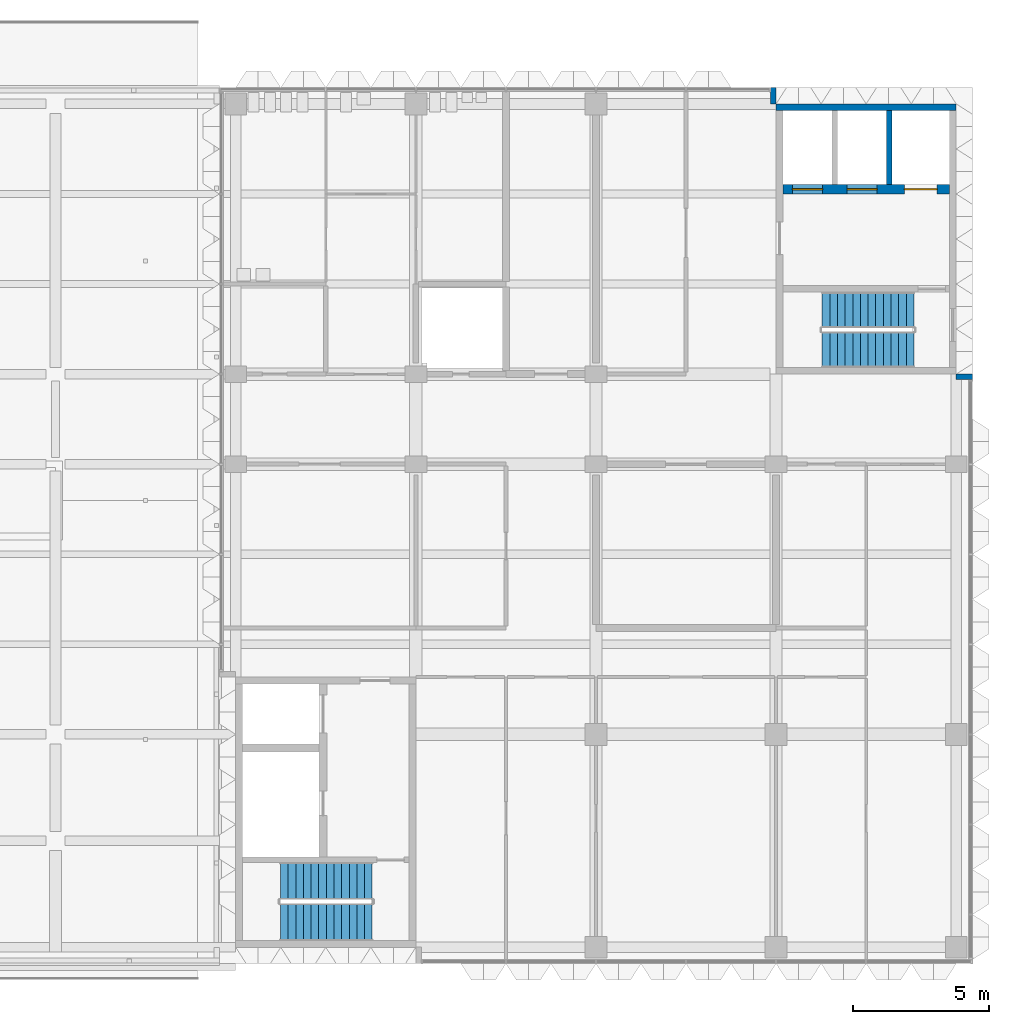
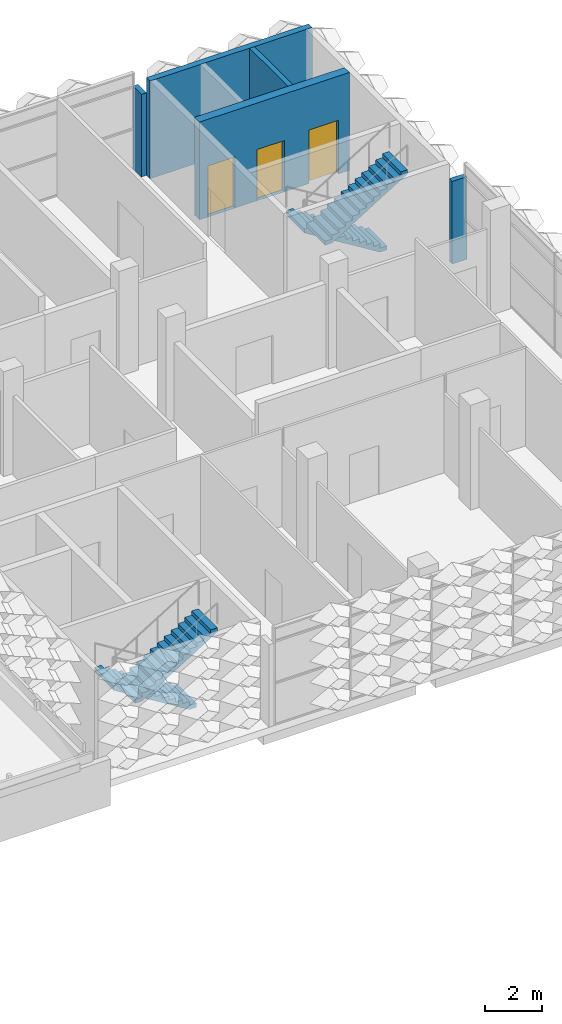
# One storey, part 14 of 39: 5 walls, 4 stair flights, 3 doors, 3 openings, 2 elements without a shape of their own.
"""IFC4 building model written with IfcOpenShell, lengths in metres."""

from ifc_helpers import new_model, si_unit, direction, frame, frame_2d, origin, place, context, subcontext, project, spatial, polyline, rectangle, outline, extrude, material, layer, layer_set, type_object, element, fill, aggregate, save


model = new_model("IFC4")

# Units and contexts
model_context = context("Model", 3, precision=1e-05, world=origin(), true_north=direction((0.0, 1.0)))
body_context = subcontext(model_context, "Body", "Model", "MODEL_VIEW")
ifc_project = project(units=[si_unit("LENGTHUNIT", "METRE"), si_unit("AREAUNIT", "SQUARE_METRE"), si_unit("VOLUMEUNIT", "CUBIC_METRE"), si_unit("PLANEANGLEUNIT", "RADIAN"), si_unit("MASSUNIT", "GRAM", prefix="KILO")], contexts=[model_context])

# Site, building, storey
site_placement = place(None, origin())
site = spatial("IfcSite", under=ifc_project, at=site_placement, CompositionType="ELEMENT")
building_placement = place(site_placement, origin())
building = spatial("IfcBuilding", under=site, at=building_placement, Name="Lantern Court Research Institute", CompositionType="ELEMENT")
storey_placement = place(building_placement, frame((0.0, 0.0, 27.89990234375)))
storey = spatial("IfcBuildingStorey", under=building, at=storey_placement, Name="L06", CompositionType="ELEMENT", Elevation=27.89990234375)

# Walls
ifc_material_1 = material(Name="Concrete C40/50", Category="concrete")
ifc_layer_1 = layer(ifc_material_1, 0.25)
ifc_layer_set_1 = layer_set([ifc_layer_1], Name="Concrete C40/50")
wall_type_1 = type_object("IfcWallType", Name="RC core wall 250 facade", PredefinedType="SHEAR", material=ifc_layer_set_1)
wall_1_placement = place(storey_placement, frame((72.60009765625, 22.97509765625, 0.0), z_axis=(0.0, 0.0, 1.0), x_axis=(1.0, 0.0, 0.0)))
element("IfcWall", 1, at=wall_1_placement, inside=storey, type_object=wall_type_1, Name="North wall of core TC-E", PredefinedType="SHEAR", context=body_context, shape_type="SweptSolid", body=[
    extrude(rectangle(XDim=6.599853515625, YDim=0.25, at=frame_2d((3.2998046875, 0.0))), origin(), (0.0, 0.0, 1.0), 4.2001953125),
])
ifc_material_2 = material(Name="Concrete C40/50", Category="concrete")
ifc_layer_2 = layer(ifc_material_2, 0.199951171875)
ifc_layer_set_2 = layer_set([ifc_layer_2], Name="Concrete C40/50")
wall_type_2 = type_object("IfcWallType", Name="RC shaft wall 200", PredefinedType="SHEAR", material=ifc_layer_set_2)
wall_2_placement = place(storey_placement, frame((76.75, 20.14990234375, 0.0), z_axis=(0.0, 0.0, 1.0), x_axis=(0.0, 1.0, 0.0)))
element("IfcWall", 2, at=wall_2_placement, inside=storey, type_object=wall_type_2, Name="Lift shaft wall of core TC-E", PredefinedType="SHEAR", context=body_context, shape_type="SweptSolid", body=[
    extrude(rectangle(XDim=2.7001953125, YDim=0.199951171875, at=frame_2d((1.35009765625, 0.0))), origin(), (0.0, 0.0, 1.0), 4.2001953125),
])

# Wall, openings, doors
ifc_material_3 = material(Name="Concrete C40/50", Category="concrete")
ifc_layer_3 = layer(ifc_material_3, 0.35009765625)
ifc_layer_set_3 = layer_set([ifc_layer_3], Name="Concrete C40/50")
wall_type_3 = type_object("IfcWallType", Name="RC shaft wall 350", PredefinedType="SHEAR", material=ifc_layer_set_3)
wall_3_placement = place(storey_placement, frame((72.85009765625, 19.97509765625, 0.0), z_axis=(0.0, 0.0, 1.0), x_axis=(1.0, 0.0, 0.0)))
wall_3 = element("IfcWall", 3, at=wall_3_placement, inside=storey, type_object=wall_type_3, Name="Lift shaft wall of core TC-E", PredefinedType="SHEAR", context=body_context, shape_type="SweptSolid", body=[
    extrude(rectangle(XDim=6.099853515625, YDim=0.35009765625, at=frame_2d((3.0498046875, 0.0))), origin(), (0.0, 0.0, 1.0), 4.2001953125),
])
opening_1_placement = place(wall_3_placement, frame((0.35009765625, 0.0, 0.0)))
opening_1 = element("IfcOpeningElement", 4, at=opening_1_placement, cuts=wall_3, Name="Opening D7179", PredefinedType="OPENING", context=body_context, shape_type="SweptSolid", body=[
    extrude(rectangle(XDim=1.10009765625, YDim=2.199951171875, at=frame_2d((0.550048828125, 1.10009765625))), frame((0.0, 0.18505859375, 0.0), z_axis=(0.0, -1.0, 0.0), x_axis=(1.0, 0.0, 0.0)), (0.0, 0.0, 1.0), 0.3701171875),
])
opening_2_placement = place(wall_3_placement, frame((2.35009765625, 0.0, 0.0)))
opening_2 = element("IfcOpeningElement", 5, at=opening_2_placement, cuts=wall_3, Name="Opening D7180", PredefinedType="OPENING", context=body_context, shape_type="SweptSolid", body=[
    extrude(rectangle(XDim=1.10009765625, YDim=2.199951171875, at=frame_2d((0.550048828125, 1.10009765625))), frame((0.0, 0.18505859375, 0.0), z_axis=(0.0, -1.0, 0.0), x_axis=(1.0, 0.0, 0.0)), (0.0, 0.0, 1.0), 0.3701171875),
])
opening_3_placement = place(wall_3_placement, frame((4.449951171875, 0.0, 0.0)))
opening_3 = element("IfcOpeningElement", 6, at=opening_3_placement, cuts=wall_3, Name="Opening D7181", PredefinedType="OPENING", context=body_context, shape_type="SweptSolid", body=[
    extrude(rectangle(XDim=1.199951171875, YDim=2.300048828125, at=frame_2d((0.60009765625, 1.14990234375))), frame((0.0, 0.18505859375, 0.0), z_axis=(0.0, -1.0, 0.0), x_axis=(1.0, 0.0, 0.0)), (0.0, 0.0, 1.0), 0.3701171875),
])
ifc_material_4 = material(Name="Stainless steel landing door panels", Category="steel")
door_type_1 = type_object("IfcDoorType", Name="Lift landing door 1100 x 2200 sliding FD60", OperationType="DOUBLE_DOOR_SLIDING", PredefinedType="NOTDEFINED", material=ifc_material_4)
door_1_placement = place(opening_1_placement, origin())
door_1 = element("IfcDoor", 7, at=door_1_placement, inside=storey, type_object=door_type_1, Name="Landing door", OperationType="DOUBLE_DOOR_SLIDING", OverallHeight=2.199951171875, OverallWidth=1.10009765625, PredefinedType="NOTDEFINED", context=body_context, shape_type="SweptSolid", body=[
    extrude(rectangle(XDim=1.10009765625, YDim=2.199951171875, at=frame_2d((0.550048828125, 1.10009765625))), frame((0.0, 0.02490234375, 0.0), z_axis=(0.0, -1.0, 0.0), x_axis=(1.0, 0.0, 0.0)), (0.0, 0.0, 1.0), 0.050048828125),
])
fill(opening_1, door_1)
door_2_placement = place(opening_2_placement, origin())
door_2 = element("IfcDoor", 8, at=door_2_placement, inside=storey, type_object=door_type_1, Name="Landing door", OperationType="DOUBLE_DOOR_SLIDING", OverallHeight=2.199951171875, OverallWidth=1.10009765625, PredefinedType="NOTDEFINED", context=body_context, shape_type="SweptSolid", body=[
    extrude(rectangle(XDim=1.10009765625, YDim=2.199951171875, at=frame_2d((0.550048828125, 1.10009765625))), frame((0.0, 0.02490234375, 0.0), z_axis=(0.0, -1.0, 0.0), x_axis=(1.0, 0.0, 0.0)), (0.0, 0.0, 1.0), 0.050048828125),
])
fill(opening_2, door_2)
ifc_material_5 = material(Name="Stainless steel landing door panels", Category="steel")
door_type_2 = type_object("IfcDoorType", Name="Lift landing door 1200 x 2300 sliding FD60", OperationType="DOUBLE_DOOR_SLIDING", PredefinedType="NOTDEFINED", material=ifc_material_5)
door_3_placement = place(opening_3_placement, origin())
door_3 = element("IfcDoor", 9, at=door_3_placement, inside=storey, type_object=door_type_2, Name="Landing door", OperationType="DOUBLE_DOOR_SLIDING", OverallHeight=2.300048828125, OverallWidth=1.199951171875, PredefinedType="NOTDEFINED", context=body_context, shape_type="SweptSolid", body=[
    extrude(rectangle(XDim=1.199951171875, YDim=2.300048828125, at=frame_2d((0.60009765625, 1.14990234375))), frame((0.0, 0.02490234375, 0.0), z_axis=(0.0, -1.0, 0.0), x_axis=(1.0, 0.0, 0.0)), (0.0, 0.0, 1.0), 0.050048828125),
])
fill(opening_3, door_3)

# Walls
ifc_material_6 = material(Name="Concrete C40/50", Category="concrete")
ifc_layer_4 = layer(ifc_material_6, 0.199951171875)
ifc_layer_set_4 = layer_set([ifc_layer_4], Name="Concrete C40/50")
wall_type_4 = type_object("IfcWallType", Name="Return wall 200 concrete EI 120 aluminium faced", PredefinedType="STANDARD", material=ifc_layer_set_4)
wall_4_placement = place(storey_placement, frame((79.199951171875, 13.10009765625, 0.0), z_axis=(0.0, 0.0, 1.0), x_axis=(1.0, 0.0, 0.0)))
element("IfcWall", 10, at=wall_4_placement, inside=storey, type_object=wall_type_4, Name="Core return wall 55", PredefinedType="STANDARD", context=body_context, shape_type="SweptSolid", body=[
    extrude(rectangle(XDim=0.60009765625, YDim=0.199951171875, at=frame_2d((0.300048828125, 0.0))), origin(), (0.0, 0.0, 1.0), 3.550048828125),
])
wall_5_placement = place(storey_placement, frame((72.5, 23.10009765625, 0.0), z_axis=(0.0, 0.0, 1.0), x_axis=(0.0, 1.0, 0.0)))
element("IfcWall", 11, at=wall_5_placement, inside=storey, type_object=wall_type_4, Name="Core return wall 56", PredefinedType="STANDARD", context=body_context, shape_type="SweptSolid", body=[
    extrude(rectangle(XDim=0.599853515625, YDim=0.199951171875, at=frame_2d((0.2998046875, 0.0))), origin(), (0.0, 0.0, 1.0), 3.550048828125),
])

# Stair, stair flights
ifc_material_7 = material(Name="Concrete C40/50", Category="concrete")
stair_type_1 = type_object("IfcStairType", Name="RC half-turn stair 1300 wide, 4500 rise, 6100 shaft", PredefinedType="HALF_TURN_STAIR", material=ifc_material_7)
stair_1_placement = place(storey_placement, origin())
stair_1 = element("IfcStair", 12, at=stair_1_placement, inside=storey, type_object=stair_type_1, Name="L06 stair ST-T2", PredefinedType="HALF_TURN_STAIR")
ifc_material_8 = material(Name="Concrete C40/50", Category="concrete")
stair_flight_type_1 = type_object("IfcStairFlightType", Name="RC stair flight 1300 wide, 13 risers of 173, going 280", PredefinedType="STRAIGHT", material=ifc_material_8)
stair_flight_1_placement = place(storey_placement, frame((77.64990234375, 15.550048828125, 0.0), z_axis=(0.0, 0.0, 1.0), x_axis=(-1.0, 0.0, 0.0)))
stair_flight_1 = element("IfcStairFlight", 13, at=stair_flight_1_placement, type_object=stair_flight_type_1, Name="ST-T2 flight 1", NumberOfRisers=13, NumberOfTreads=12, PredefinedType="STRAIGHT", RiserHeight=0.173076923, TreadLength=0.28, context=body_context, shape_type="SweptSolid", body=[
    extrude(outline(polyline([(0.0, 0.0), (0.0, 0.173095703125), (0.280029296875, 0.173095703125), (0.280029296875, 0.34619140625), (0.56005859375, 0.34619140625), (0.56005859375, 0.519287109375), (0.840087890625, 0.519287109375), (0.840087890625, 0.6923828125), (1.1201171875, 0.6923828125), (1.1201171875, 0.865478515625), (1.39990234375, 0.865478515625), (1.39990234375, 1.03857421875), (1.679931640625, 1.03857421875), (1.679931640625, 1.21142578125), (1.9599609375, 1.21142578125), (1.9599609375, 1.384521484375), (2.239990234375, 1.384521484375), (2.239990234375, 1.5576171875), (2.52001953125, 1.5576171875), (2.52001953125, 1.730712890625), (2.800048828125, 1.730712890625), (2.800048828125, 1.90380859375), (3.080078125, 1.90380859375), (3.080078125, 2.076904296875), (3.360107421875, 2.076904296875), (3.360107421875, 2.25), (3.360107421875, 1.900634765625), (0.28515625, 0.0), (0.0, 0.0)])), frame((0.0, 0.64990234375, 0.0), z_axis=(0.0, -1.0, 0.0), x_axis=(1.0, 0.0, 0.0)), (0.0, 0.0, 1.0), 1.300048828125),
])
stair_flight_2_placement = place(storey_placement, frame((74.2900390625, 14.10009765625, 2.25), z_axis=(0.0, 0.0, 1.0), x_axis=(1.0, 0.0, 0.0)))
stair_flight_2 = element("IfcStairFlight", 14, at=stair_flight_2_placement, type_object=stair_flight_type_1, Name="ST-T2 flight 2", NumberOfRisers=13, NumberOfTreads=12, PredefinedType="STRAIGHT", RiserHeight=0.173076923, TreadLength=0.28, context=body_context, shape_type="SweptSolid", body=[
    extrude(outline(polyline([(0.0, 0.0), (0.0, 0.173095703125), (0.280029296875, 0.173095703125), (0.280029296875, 0.34619140625), (0.56005859375, 0.34619140625), (0.56005859375, 0.519287109375), (0.840087890625, 0.519287109375), (0.840087890625, 0.6923828125), (1.1201171875, 0.6923828125), (1.1201171875, 0.865478515625), (1.39990234375, 0.865478515625), (1.39990234375, 1.03857421875), (1.679931640625, 1.03857421875), (1.679931640625, 1.21142578125), (1.9599609375, 1.21142578125), (1.9599609375, 1.384521484375), (2.239990234375, 1.384521484375), (2.239990234375, 1.5576171875), (2.52001953125, 1.5576171875), (2.52001953125, 1.730712890625), (2.800048828125, 1.730712890625), (2.800048828125, 1.90380859375), (3.080078125, 1.90380859375), (3.080078125, 2.076904296875), (3.360107421875, 2.076904296875), (3.360107421875, 2.25), (3.360107421875, 1.900634765625), (0.28515625, 0.0), (0.0, 0.0)])), frame((0.0, 0.64990234375, 0.0), z_axis=(0.0, -1.0, 0.0), x_axis=(1.0, 0.0, 0.0)), (0.0, 0.0, 1.0), 1.300048828125),
])
aggregate(stair_1, [stair_flight_1, stair_flight_2])

ifc_material_9 = material(Name="Concrete C40/50", Category="concrete")
stair_type_2 = type_object("IfcStairType", Name="RC half-turn stair 1350 wide, 4500 rise, 6100 shaft", PredefinedType="HALF_TURN_STAIR", material=ifc_material_9)
stair_2_placement = place(storey_placement, origin())
stair_2 = element("IfcStair", 15, at=stair_2_placement, inside=storey, type_object=stair_type_2, Name="L06 stair ST-T1", PredefinedType="HALF_TURN_STAIR")
ifc_material_10 = material(Name="Concrete C40/50", Category="concrete")
stair_flight_type_2 = type_object("IfcStairFlightType", Name="RC stair flight 1350 wide, 13 risers of 173, going 280", PredefinedType="STRAIGHT", material=ifc_material_10)
stair_flight_3_placement = place(storey_placement, frame((57.800048828125, -5.375, 0.0), z_axis=(0.0, 0.0, 1.0), x_axis=(-1.0, 0.0, 0.0)))
stair_flight_3 = element("IfcStairFlight", 16, at=stair_flight_3_placement, type_object=stair_flight_type_2, Name="ST-T1 flight 1", NumberOfRisers=13, NumberOfTreads=12, PredefinedType="STRAIGHT", RiserHeight=0.173076923, TreadLength=0.28, context=body_context, shape_type="SweptSolid", body=[
    extrude(outline(polyline([(0.0, 0.0), (0.0, 0.173095703125), (0.280029296875, 0.173095703125), (0.280029296875, 0.34619140625), (0.56005859375, 0.34619140625), (0.56005859375, 0.519287109375), (0.840087890625, 0.519287109375), (0.840087890625, 0.6923828125), (1.1201171875, 0.6923828125), (1.1201171875, 0.865478515625), (1.39990234375, 0.865478515625), (1.39990234375, 1.03857421875), (1.679931640625, 1.03857421875), (1.679931640625, 1.21142578125), (1.9599609375, 1.21142578125), (1.9599609375, 1.384521484375), (2.239990234375, 1.384521484375), (2.239990234375, 1.5576171875), (2.52001953125, 1.5576171875), (2.52001953125, 1.730712890625), (2.800048828125, 1.730712890625), (2.800048828125, 1.90380859375), (3.080078125, 1.90380859375), (3.080078125, 2.076904296875), (3.360107421875, 2.076904296875), (3.360107421875, 2.25), (3.360107421875, 1.900634765625), (0.28515625, 0.0), (0.0, 0.0)])), frame((0.0, 0.675048828125, 0.0), z_axis=(0.0, -1.0, 0.0), x_axis=(1.0, 0.0, 0.0)), (0.0, 0.0, 1.0), 1.35009765625),
])
stair_flight_4_placement = place(storey_placement, frame((54.43994140625, -6.875, 2.25), z_axis=(0.0, 0.0, 1.0), x_axis=(1.0, 0.0, 0.0)))
stair_flight_4 = element("IfcStairFlight", 17, at=stair_flight_4_placement, type_object=stair_flight_type_2, Name="ST-T1 flight 2", NumberOfRisers=13, NumberOfTreads=12, PredefinedType="STRAIGHT", RiserHeight=0.173076923, TreadLength=0.28, context=body_context, shape_type="SweptSolid", body=[
    extrude(outline(polyline([(0.0, 0.0), (0.0, 0.173095703125), (0.280029296875, 0.173095703125), (0.280029296875, 0.34619140625), (0.56005859375, 0.34619140625), (0.56005859375, 0.519287109375), (0.840087890625, 0.519287109375), (0.840087890625, 0.6923828125), (1.1201171875, 0.6923828125), (1.1201171875, 0.865478515625), (1.39990234375, 0.865478515625), (1.39990234375, 1.03857421875), (1.679931640625, 1.03857421875), (1.679931640625, 1.21142578125), (1.9599609375, 1.21142578125), (1.9599609375, 1.384521484375), (2.239990234375, 1.384521484375), (2.239990234375, 1.5576171875), (2.52001953125, 1.5576171875), (2.52001953125, 1.730712890625), (2.800048828125, 1.730712890625), (2.800048828125, 1.90380859375), (3.080078125, 1.90380859375), (3.080078125, 2.076904296875), (3.360107421875, 2.076904296875), (3.360107421875, 2.25), (3.360107421875, 1.900634765625), (0.28515625, 0.0), (0.0, 0.0)])), frame((0.0, 0.675048828125, 0.0), z_axis=(0.0, -1.0, 0.0), x_axis=(1.0, 0.0, 0.0)), (0.0, 0.0, 1.0), 1.35009765625),
])
aggregate(stair_2, [stair_flight_3, stair_flight_4])

save(model, "model.ifc")
